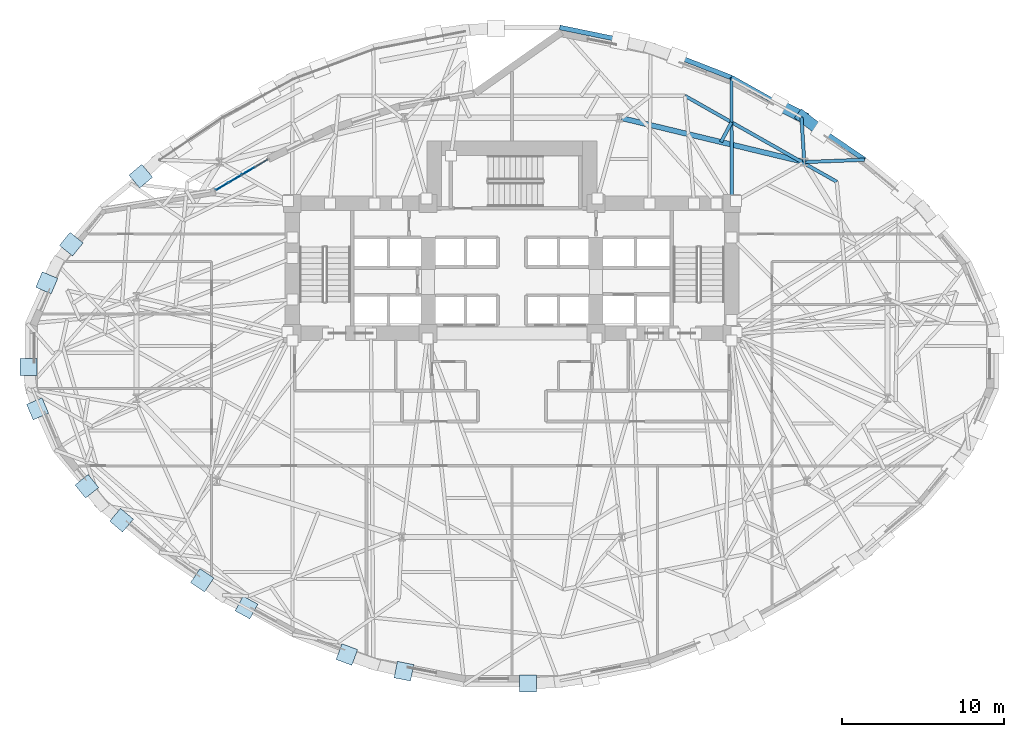
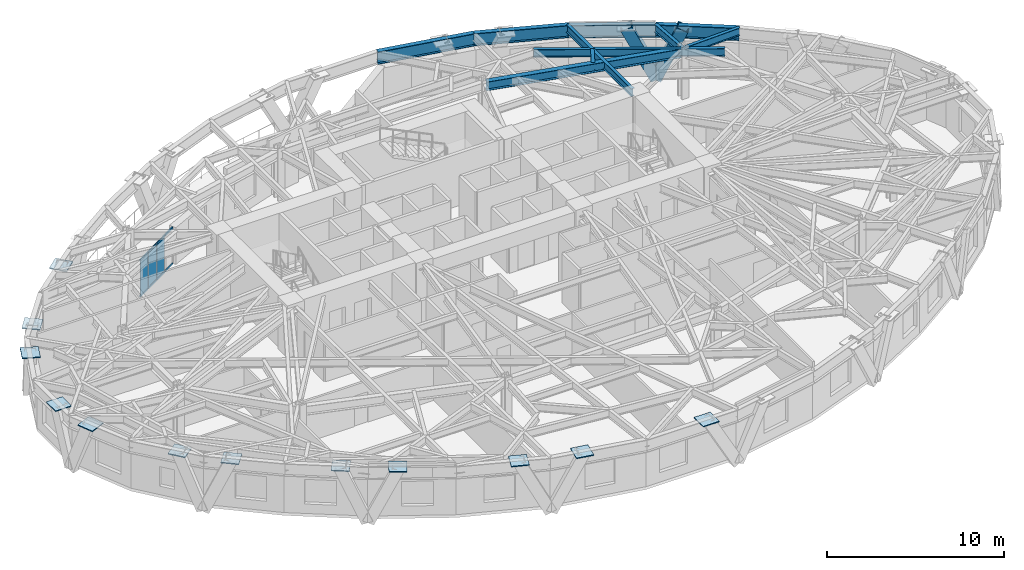
# One storey, part 7 of 17: 15 plates, 10 beams, 10 members, 1 element without a shape of its own.
"""IFC4 building model written with IfcOpenShell, lengths in metres."""

from ifc_helpers import new_model, si_unit, direction, frame, origin, origin_2d, place, context, subcontext, project, spatial, rectangle, hollow_rectangle, i_section, extrude, material, layer, layer_set, material_profile, profile_set, type_object, element, aggregate, save


model = new_model("IFC4")

# Units and contexts
model_context = context("Model", 3, precision=1e-05, world=origin(), true_north=direction((0.0, 1.0)))
body_context = subcontext(model_context, "Body", "Model", "MODEL_VIEW")
ifc_project = project(units=[si_unit("LENGTHUNIT", "METRE"), si_unit("AREAUNIT", "SQUARE_METRE"), si_unit("VOLUMEUNIT", "CUBIC_METRE"), si_unit("PLANEANGLEUNIT", "RADIAN"), si_unit("MASSUNIT", "GRAM", prefix="KILO")], contexts=[model_context])

# Site, building, storey
site_placement = place(None, origin())
site = spatial("IfcSite", under=ifc_project, at=site_placement, CompositionType="ELEMENT")
building_placement = place(site_placement, origin())
building = spatial("IfcBuilding", under=site, at=building_placement, Name="Keldmark Tower", CompositionType="ELEMENT")
storey_placement = place(building_placement, frame((0.0, 0.0, 70.199951171875)))
storey = spatial("IfcBuildingStorey", under=building, at=storey_placement, Name="L18", CompositionType="ELEMENT", Elevation=70.199951171875)

# Curtain wall, members
ifc_material_1 = material(Name="Unitized Thermally Broken Aluminum and Triple Low-E Glazing", Category="aluminium")
ifc_layer_1 = layer(ifc_material_1, 0.219970703125)
ifc_layer_set_1 = layer_set([ifc_layer_1], Name="Unitized Thermally Broken Aluminum and Triple Low-E Glazing")
curtain_wall_type = type_object("IfcCurtainWallType", Name="Spiralling Sky-Garden Feature Curtain Wall System", PredefinedType="NOTDEFINED", material=ifc_layer_set_1)
curtain_wall_placement = place(storey_placement, origin())
curtain_wall = element("IfcCurtainWall", 1, at=curtain_wall_placement, inside=storey, type_object=curtain_wall_type, Name="L18 Spiralling Sky-Garden Feature Curtain Wall System CW-L18-12", PredefinedType="NOTDEFINED")
ifc_material_2 = material(Name="Extruded Aluminum Alloy 6063-T6", Category="aluminium")
ifc_material_profile_1 = material_profile(ifc_material_2, rectangle(XDim=0.06005859375, YDim=0.139892578125, at=origin_2d()), Name="CWT60X140")
ifc_profile_set_1 = profile_set([ifc_material_profile_1], Name="Extruded Aluminum Alloy 6063-T6")
member_type_1 = type_object("IfcMemberType", Name="Curtain Wall Horizontal Transom 60x140", PredefinedType="USERDEFINED", material=ifc_profile_set_1)
member_1_placement = place(storey_placement, frame((-18.328369140625, 10.27001953125, 0.030029296875), z_axis=(0.860797820342, 0.508947062566, 0.0), x_axis=(-0.508947062566, 0.860797820342, 0.0)))
member_1 = element("IfcMember", 2, at=member_1_placement, type_object=member_type_1, Name="CW transom 1.1", ObjectType="TRANSOM", PredefinedType="USERDEFINED", context=body_context, shape_type="SweptSolid", body=[
    extrude(rectangle(XDim=0.06005859375, YDim=0.139892578125, at=origin_2d()), origin(), (0.0, 0.0, 1.0), 0.86865234375),
])
member_2_placement = place(storey_placement, frame((-18.328369140625, 10.27001953125, 2.4990234375), z_axis=(0.860797820342, 0.508947062566, 0.0), x_axis=(-0.508947062566, 0.860797820342, 0.0)))
member_2 = element("IfcMember", 3, at=member_2_placement, type_object=member_type_1, Name="CW transom 1.2", ObjectType="TRANSOM", PredefinedType="USERDEFINED", context=body_context, shape_type="SweptSolid", body=[
    extrude(rectangle(XDim=0.06005859375, YDim=0.139892578125, at=origin_2d()), origin(), (0.0, 0.0, 1.0), 0.86865234375),
])
member_3_placement = place(storey_placement, frame((-17.52880859375, 10.74267578125, 0.030029296875), z_axis=(0.860807497326, 0.508930695231, 0.0), x_axis=(-0.508930695231, 0.860807497326, 0.0)))
member_3 = element("IfcMember", 4, at=member_3_placement, type_object=member_type_1, Name="CW transom 2.1", ObjectType="TRANSOM", PredefinedType="USERDEFINED", context=body_context, shape_type="SweptSolid", body=[
    extrude(rectangle(XDim=0.06005859375, YDim=0.139892578125, at=origin_2d()), origin(), (0.0, 0.0, 1.0), 0.8984375),
])
member_4_placement = place(storey_placement, frame((-17.52880859375, 10.74267578125, 2.4990234375), z_axis=(0.860807497326, 0.508930695231, 0.0), x_axis=(-0.508930695231, 0.860807497326, 0.0)))
member_4 = element("IfcMember", 5, at=member_4_placement, type_object=member_type_1, Name="CW transom 2.2", ObjectType="TRANSOM", PredefinedType="USERDEFINED", context=body_context, shape_type="SweptSolid", body=[
    extrude(rectangle(XDim=0.06005859375, YDim=0.139892578125, at=origin_2d()), origin(), (0.0, 0.0, 1.0), 0.8984375),
])
member_5_placement = place(storey_placement, frame((-16.70361328125, 11.23046875, 0.030029296875), z_axis=(0.860758851717, 0.509012965641, 0.0), x_axis=(-0.509012965641, 0.860758851717, 0.0)))
member_5 = element("IfcMember", 6, at=member_5_placement, type_object=member_type_1, Name="CW transom 3.1", ObjectType="TRANSOM", PredefinedType="USERDEFINED", context=body_context, shape_type="SweptSolid", body=[
    extrude(rectangle(XDim=0.06005859375, YDim=0.139892578125, at=origin_2d()), origin(), (0.0, 0.0, 1.0), 0.89892578125),
])
member_6_placement = place(storey_placement, frame((-16.70361328125, 11.23046875, 2.4990234375), z_axis=(0.860758851717, 0.509012965641, 0.0), x_axis=(-0.509012965641, 0.860758851717, 0.0)))
member_6 = element("IfcMember", 7, at=member_6_placement, type_object=member_type_1, Name="CW transom 3.2", ObjectType="TRANSOM", PredefinedType="USERDEFINED", context=body_context, shape_type="SweptSolid", body=[
    extrude(rectangle(XDim=0.06005859375, YDim=0.139892578125, at=origin_2d()), origin(), (0.0, 0.0, 1.0), 0.89892578125),
])
member_7_placement = place(storey_placement, frame((-15.87841796875, 11.718505859375, 0.030029296875), z_axis=(0.860797820342, 0.508947062566, 0.0), x_axis=(-0.508947062566, 0.860797820342, 0.0)))
member_7 = element("IfcMember", 8, at=member_7_placement, type_object=member_type_1, Name="CW transom 4.1", ObjectType="TRANSOM", PredefinedType="USERDEFINED", context=body_context, shape_type="SweptSolid", body=[
    extrude(rectangle(XDim=0.06005859375, YDim=0.139892578125, at=origin_2d()), origin(), (0.0, 0.0, 1.0), 0.86865234375),
])
member_8_placement = place(storey_placement, frame((-15.87841796875, 11.718505859375, 2.4990234375), z_axis=(0.860797820342, 0.508947062566, 0.0), x_axis=(-0.508947062566, 0.860797820342, 0.0)))
member_8 = element("IfcMember", 9, at=member_8_placement, type_object=member_type_1, Name="CW transom 4.2", ObjectType="TRANSOM", PredefinedType="USERDEFINED", context=body_context, shape_type="SweptSolid", body=[
    extrude(rectangle(XDim=0.06005859375, YDim=0.139892578125, at=origin_2d()), origin(), (0.0, 0.0, 1.0), 0.86865234375),
])

# Members
ifc_material_3 = material(Name="Steel ASTM A572 Grade 50", Category="steel")
ifc_material_profile_2 = material_profile(ifc_material_3, hollow_rectangle(XDim=0.699951171875, YDim=0.699951171875, WallThickness=0.054931640625, at=origin_2d()), Name="BOX700X700X55")
ifc_profile_set_2 = profile_set([ifc_material_profile_2], Name="Steel ASTM A572 Grade 50")
member_type_2 = type_object("IfcMemberType", Name="Diagrid Zone 1 Brace BOX700X700X55", PredefinedType="BRACE", material=ifc_profile_set_2)
member_9_placement = place(storey_placement, frame((17.95361328125, 14.833984375, -0.280029296875), z_axis=(0.316031043879, -0.244425840184, 0.916722634146), x_axis=(0.611792278259, 0.791018462656, 0.0)))
element("IfcMember", 10, at=member_9_placement, inside=storey, type_object=member_type_2, Name="L18 Perimeter Diagrid Brace 02B", PredefinedType="BRACE", context=body_context, shape_type="SweptSolid", body=[
    extrude(hollow_rectangle(XDim=0.699951171875, YDim=0.699951171875, WallThickness=0.054931640625, at=origin_2d()), origin(), (0.0, 0.0, 1.0), 3.883544921875),
])
member_10_placement = place(storey_placement, frame((17.9619140625, 14.82568359375, -0.280029296875), z_axis=(-0.385982173744, 0.189399979063, 0.902854035536), x_axis=(-0.440519164333, -0.897743207078, 0.0)))
element("IfcMember", 11, at=member_10_placement, inside=storey, type_object=member_type_2, Name="L18 Perimeter Diagrid Brace 03A", PredefinedType="BRACE", context=body_context, shape_type="SweptSolid", body=[
    extrude(hollow_rectangle(XDim=0.699951171875, YDim=0.699951171875, WallThickness=0.054931640625, at=origin_2d()), origin(), (0.0, 0.0, 1.0), 3.943115234375),
])

# Beams
ifc_material_4 = material(Name="Steel ASTM A992 Grade 50", Category="steel")
ifc_material_profile_3 = material_profile(ifc_material_4, i_section(OverallWidth=0.323974609375, OverallDepth=0.611083984375, WebThickness=0.0126953125, FlangeThickness=0.01904296875, at=origin_2d()), Name="W24X104")
ifc_profile_set_3 = profile_set([ifc_material_profile_3], Name="Steel ASTM A992 Grade 50")
beam_type_1 = type_object("IfcBeamType", Name="Primary Floor Girder W24X104", PredefinedType="BEAM", material=ifc_profile_set_3)
beam_1_placement = place(storey_placement, frame((17.961669921875, 12.040283203125, 3.094482421875), z_axis=(-0.972218707757, 0.2340743136, 0.0), x_axis=(-0.2340743136, -0.972218707757, 0.0)))
element("IfcBeam", 12, at=beam_1_placement, inside=storey, type_object=beam_type_1, Name="L18 Floor Ring Girder FG-R02", PredefinedType="BEAM", context=body_context, shape_type="SweptSolid", body=[
    extrude(i_section(OverallWidth=0.323974609375, OverallDepth=0.611083984375, WebThickness=0.0126953125, FlangeThickness=0.01904296875, at=origin_2d()), origin(), (0.0, 0.0, 1.0), 11.479248046875),
])
ifc_material_5 = material(Name="Steel ASTM A992 Grade 50", Category="steel")
ifc_material_profile_4 = material_profile(ifc_material_5, i_section(OverallWidth=0.2099609375, OverallDepth=0.537109375, WebThickness=0.010986328125, FlangeThickness=0.017333984375, at=origin_2d()), Name="W21X68")
ifc_profile_set_4 = profile_set([ifc_material_profile_4], Name="Steel ASTM A992 Grade 50")
beam_type_2 = type_object("IfcBeamType", Name="Radial Tie Girder W21X68", PredefinedType="BEAM", material=ifc_profile_set_4)
beam_2_placement = place(storey_placement, frame((20.108642578125, 10.7880859375, 3.131591796875), z_axis=(-0.870283179633, 0.492551710227, 0.0), x_axis=(-0.492551710227, -0.870283179633, 0.0)))
element("IfcBeam", 13, at=beam_2_placement, inside=storey, type_object=beam_type_2, Name="L18 Perimeter Collector Ring Beam CRG1-M01", PredefinedType="BEAM", context=body_context, shape_type="SweptSolid", body=[
    extrude(i_section(OverallWidth=0.2099609375, OverallDepth=0.537109375, WebThickness=0.010986328125, FlangeThickness=0.017333984375, at=origin_2d()), origin(), (0.0, 0.0, 1.0), 10.801513671875),
])
beam_3_placement = place(storey_placement, frame((18.09765625, 12.00732421875, 3.131591796875), z_axis=(0.999246750596, 0.038806332263, 0.0), x_axis=(-0.038806332263, 0.999246750596, 0.0)))
element("IfcBeam", 14, at=beam_3_placement, inside=storey, type_object=beam_type_2, Name="L18 Perimeter Column Bracket RT-04", PredefinedType="BEAM", context=body_context, shape_type="SweptSolid", body=[
    extrude(i_section(OverallWidth=0.2099609375, OverallDepth=0.537109375, WebThickness=0.010986328125, FlangeThickness=0.017333984375, at=origin_2d()), origin(), (0.0, 0.0, 1.0), 3.743408203125),
])
beam_4_placement = place(storey_placement, frame((18.09765625, 12.00732421875, 3.131591796875), z_axis=(-0.062551604305, 0.998041730991, 0.0), x_axis=(-0.998041730991, -0.062551604305, 0.0)))
element("IfcBeam", 15, at=beam_4_placement, inside=storey, type_object=beam_type_2, Name="L18 Perimeter Column Bracket RT-05", PredefinedType="BEAM", context=body_context, shape_type="SweptSolid", body=[
    extrude(i_section(OverallWidth=0.2099609375, OverallDepth=0.537109375, WebThickness=0.010986328125, FlangeThickness=0.017333984375, at=origin_2d()), origin(), (0.0, 0.0, 1.0), 2.806396484375),
])
beam_5_placement = place(storey_placement, frame((12.939453125, 13.249267578125, 3.131591796875), z_axis=(0.471016758715, 0.88212426166, 0.0), x_axis=(-0.88212426166, 0.471016758715, 0.0)))
element("IfcBeam", 16, at=beam_5_placement, inside=storey, type_object=beam_type_2, Name="L18 Framing Pin Header PH-016", PredefinedType="BEAM", context=body_context, shape_type="SweptSolid", body=[
    extrude(i_section(OverallWidth=0.2099609375, OverallDepth=0.537109375, WebThickness=0.010986328125, FlangeThickness=0.017333984375, at=origin_2d()), origin(), (0.0, 0.0, 1.0), 1.3896484375),
])
beam_6_placement = place(storey_placement, frame((13.60009765625, 9.89990234375, 3.131591796875), z_axis=(-0.001330272527, 0.999999115187, 0.0), x_axis=(-0.999999115187, -0.001330272527, 0.0)))
element("IfcBeam", 17, at=beam_6_placement, inside=storey, type_object=beam_type_2, Name="L18 Perimeter Radial Tie Girder RT-06", PredefinedType="BEAM", context=body_context, shape_type="SweptSolid", body=[
    extrude(i_section(OverallWidth=0.2099609375, OverallDepth=0.537109375, WebThickness=0.010986328125, FlangeThickness=0.017333984375, at=origin_2d()), origin(), (0.0, 0.0, 1.0), 7.341064453125),
])
ifc_material_6 = material(Name="Steel ASTM A992 Grade 50", Category="steel")
ifc_material_profile_5 = material_profile(ifc_material_6, i_section(OverallWidth=0.2919921875, OverallDepth=0.85888671875, WebThickness=0.01708984375, FlangeThickness=0.031005859375, at=origin_2d()), Name="W33X169")
ifc_profile_set_5 = profile_set([ifc_material_profile_5], Name="Steel ASTM A992 Grade 50")
beam_type_3 = type_object("IfcBeamType", Name="Spandrel Ring Beam W33X169", PredefinedType="SPANDREL", material=ifc_profile_set_5)
beam_7_placement = place(storey_placement, frame((21.838134765625, 12.152587890625, 2.970458984375), z_axis=(-0.827650405372, 0.561243981249, 0.0), x_axis=(-0.561243981249, -0.827650405372, 0.0)))
element("IfcBeam", 18, at=beam_7_placement, inside=storey, type_object=beam_type_3, Name="L18 Perimeter Spandrel Ring Beam SRB-04", PredefinedType="SPANDREL", context=body_context, shape_type="SweptSolid", body=[
    extrude(i_section(OverallWidth=0.2919921875, OverallDepth=0.85888671875, WebThickness=0.01708984375, FlangeThickness=0.031005859375, at=origin_2d()), origin(), (0.0, 0.0, 1.0), 4.7314453125),
])
beam_8_placement = place(storey_placement, frame((17.922119140625, 14.80810546875, 2.970458984375), z_axis=(-0.871899498788, 0.489684861941, 0.0), x_axis=(-0.489684861941, -0.871899498788, 0.0)))
element("IfcBeam", 19, at=beam_8_placement, inside=storey, type_object=beam_type_3, Name="L18 Perimeter Spandrel Ring Beam SRB-05", PredefinedType="SPANDREL", context=body_context, shape_type="SweptSolid", body=[
    extrude(i_section(OverallWidth=0.2919921875, OverallDepth=0.85888671875, WebThickness=0.01708984375, FlangeThickness=0.031005859375, at=origin_2d()), origin(), (0.0, 0.0, 1.0), 4.96826171875),
])
beam_9_placement = place(storey_placement, frame((13.59033203125, 17.240966796875, 2.970458984375), z_axis=(-0.932034521321, 0.362369495221, 0.0), x_axis=(-0.362369495221, -0.932034521321, 0.0)))
element("IfcBeam", 20, at=beam_9_placement, inside=storey, type_object=beam_type_3, Name="L18 Perimeter Spandrel Ring Beam SRB-06", PredefinedType="SPANDREL", context=body_context, shape_type="SweptSolid", body=[
    extrude(i_section(OverallWidth=0.2919921875, OverallDepth=0.85888671875, WebThickness=0.01708984375, FlangeThickness=0.031005859375, at=origin_2d()), origin(), (0.0, 0.0, 1.0), 5.37158203125),
])
beam_10_placement = place(storey_placement, frame((8.583740234375, 19.1875, 2.970458984375), z_axis=(-0.979495773067, 0.201464712899, 0.0), x_axis=(-0.201464712899, -0.979495773067, 0.0)))
element("IfcBeam", 21, at=beam_10_placement, inside=storey, type_object=beam_type_3, Name="L18 Perimeter Spandrel Ring Beam SRB-07", PredefinedType="SPANDREL", context=body_context, shape_type="SweptSolid", body=[
    extrude(i_section(OverallWidth=0.2919921875, OverallDepth=0.85888671875, WebThickness=0.01708984375, FlangeThickness=0.031005859375, at=origin_2d()), origin(), (0.0, 0.0, 1.0), 5.74658203125),
])

# Plates
ifc_material_7 = material(Name="Steel ASTM A572 Grade 50", Category="steel")
ifc_layer_2 = layer(ifc_material_7, 0.06494140625)
ifc_layer_set_2 = layer_set([ifc_layer_2], Name="Steel ASTM A572 Grade 50")
plate_type_1 = type_object("IfcPlateType", Name="Diagrid Node Assembly DN02 65 mm", PredefinedType="USERDEFINED", material=ifc_layer_set_2)
for number, where, z_axis, x_axis, name in (
    (22, (-22.987548828125, 11.135498046875, 3.24755859375), (0.0, 0.0, 1.0), (-0.763570674869, -0.645724263505, 0.0), "L18 Diagrid Node Assembly 13"),
    (23, (-27.286865234375, 6.923828125, 3.24755859375), (0.0, 0.0, 1.0), (-0.628506220787, -0.777804557991, 0.0), "L18 Diagrid Node Assembly 14"),
    (24, (-28.808349609375, 4.53076171875, 3.24755859375), (0.0, 0.0, 1.0), (-0.390249099737, -0.920709313603, 0.0), "L18 Diagrid Node Assembly 15"),
    (25, (-29.9443359375, -0.673828125, 3.24755859375), (0.0, 0.0, 1.0), (0.0, -1.0, 0.0), "L18 Diagrid Node Assembly 16"),
    (26, (-29.375244140625, -3.27001953125, 3.24755859375), (0.0, 0.0, 1.0), (0.390249099737, -0.920709313603, 0.0), "L18 Diagrid Node Assembly 17"),
    (27, (-26.325439453125, -8.06640625, 3.24755859375), (0.0, 0.0, 1.0), (0.628506220787, -0.777804557991, 0.0), "L18 Diagrid Node Assembly 18"),
    (28, (-24.177001953125, -10.166259765625, 3.24755859375), (0.0, 0.0, 1.0), (0.763570674869, -0.645724263505, 0.0), "L18 Diagrid Node Assembly 19"),
    (29, (-19.180908203125, -13.884765625, 3.24755859375), (0.0, 0.0, 1.0), (0.827668733006, -0.561216953062, 0.0), "L18 Diagrid Node Assembly 20"),
    (30, (-16.43994140625, -15.572509765625, 3.24755859375), (0.0, 0.0, 1.0), (0.878567152464, -0.477618842395, 0.0), "L18 Diagrid Node Assembly 21"),
    (31, (-10.224365234375, -18.485595703125, 3.24755859375), (0.0, 0.0, 1.0), (0.937403606985, -0.348244852958, 0.0), "L18 Diagrid Node Assembly 22"),
    (32, (-6.690185546875, -19.51611328125, 3.24755859375), (0.0, 0.0, 1.0), (0.981527141537, -0.191322947989, 0.0), "L18 Diagrid Node Assembly 23"),
    (33, (0.990966796875, -20.28564453125, 3.24755859375), (0.0, 0.0, 1.0), (1.0, 0.0, 0.0), "L18 Diagrid Node Assembly 24"),
):
    element("IfcPlate", number, at=place(storey_placement, frame(where, z_axis=z_axis, x_axis=x_axis)), inside=storey, type_object=plate_type_1, Name=name, ObjectType="GUSSET", PredefinedType="USERDEFINED", context=body_context, shape_type="SweptSolid", body=[
        extrude(rectangle(XDim=1.0400390625, YDim=1.0400390625, at=origin_2d()), origin(), (0.0, 0.0, 1.0), 0.06494140625),
    ])

# Plate
ifc_material_8 = material(Name="Triple Silver Low-E Insulated Glass Unit", Category="glass")
ifc_layer_3 = layer(ifc_material_8, 0.035888671875)
ifc_layer_set_3 = layer_set([ifc_layer_3], Name="Triple Silver Low-E Insulated Glass Unit")
plate_type_2 = type_object("IfcPlateType", Name="Triple Low-E Vision Glazing Panel 36 mm", PredefinedType="CURTAIN_PANEL", material=ifc_layer_set_3)
plate_1_placement = place(storey_placement, frame((-17.954345703125, 10.490966796875, 0.06005859375), z_axis=(0.0, 0.0, 1.0), x_axis=(0.860793075916, 0.508955086875, 0.0)))
plate_1 = element("IfcPlate", 34, at=plate_1_placement, type_object=plate_type_2, Name="CW panel 1.1", PredefinedType="CURTAIN_PANEL", context=body_context, shape_type="SweptSolid", body=[
    extrude(rectangle(XDim=0.86865234375, YDim=0.035888671875, at=origin_2d()), origin(), (0.0, 0.0, 1.0), 2.408935546875),
])

plate_2_placement = place(storey_placement, frame((-17.14208984375, 10.97119140625, 0.06005859375), z_axis=(0.0, 0.0, 1.0), x_axis=(0.860793075916, 0.508955086875, 0.0)))
plate_2 = element("IfcPlate", 35, at=plate_2_placement, type_object=plate_type_2, Name="CW panel 2.1", PredefinedType="CURTAIN_PANEL", context=body_context, shape_type="SweptSolid", body=[
    extrude(rectangle(XDim=0.898681640625, YDim=0.035888671875, at=origin_2d()), origin(), (0.0, 0.0, 1.0), 2.408935546875),
])

plate_3_placement = place(storey_placement, frame((-16.31689453125, 11.459228515625, 0.06005859375), z_axis=(0.0, 0.0, 1.0), x_axis=(0.860793075916, 0.508955086875, 0.0)))
plate_3 = element("IfcPlate", 36, at=plate_3_placement, type_object=plate_type_2, Name="CW panel 3.1", PredefinedType="CURTAIN_PANEL", context=body_context, shape_type="SweptSolid", body=[
    extrude(rectangle(XDim=0.898681640625, YDim=0.035888671875, at=origin_2d()), origin(), (0.0, 0.0, 1.0), 2.408935546875),
])

aggregate(curtain_wall, [member_1, member_2, plate_1, member_3, member_4, plate_2, member_5, member_6, plate_3, member_7, member_8])

save(model, "model.ifc")
